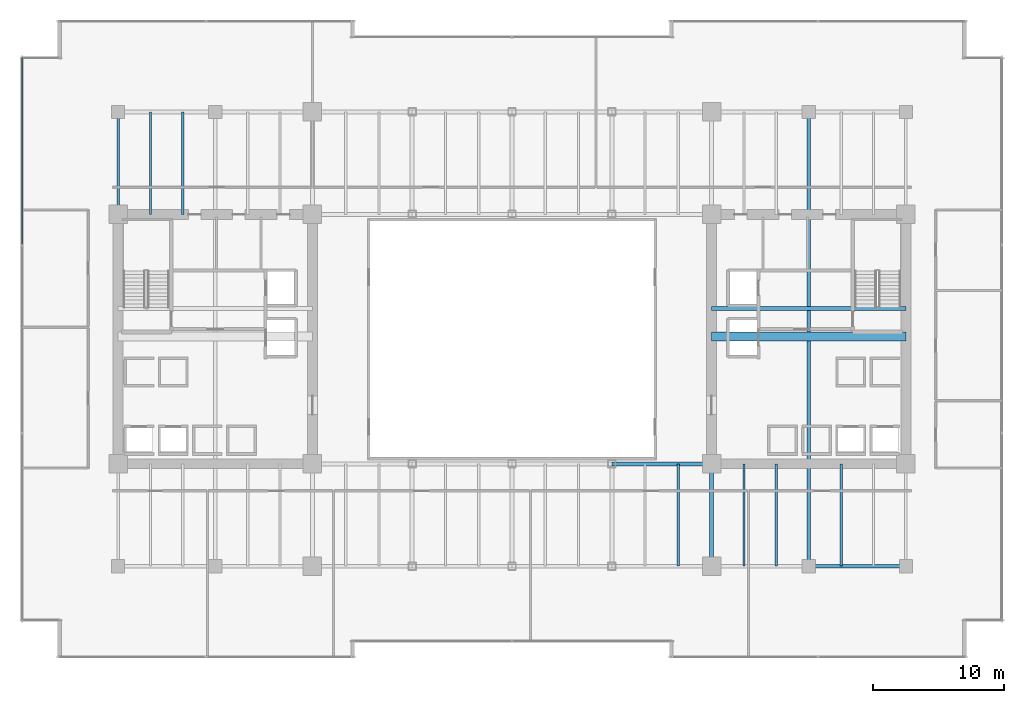
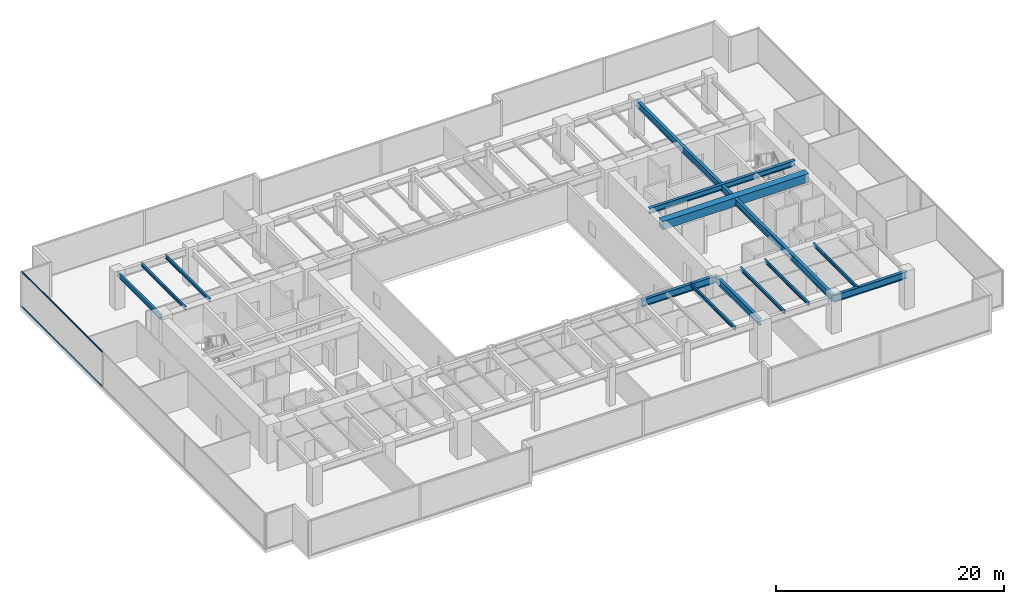
# One storey, part 11 of 35: 13 beams, 2 members, 1 element without a shape of its own.
"""IFC4 building model written with IfcOpenShell, lengths in metres."""

import ifcopenshell
import ifcopenshell.guid

model = None  # the IFC model being written
_history = None  # IfcOwnerHistory: only IFC2X3 demands one
_inside = {}  # id of a spatial element -> (the spatial element, [elements in it])
_under = {}  # id of a project, library or spatial element -> (it, [spatial elements below it])
_declared = {}  # id of a project -> (the project, [libraries it declares])
_typed = {}  # id of a type object -> (the type object, [elements of that type])
_made_of = {}  # id of a material, layer set ... -> (it, [elements and type objects made of it])


def new_model(schema):
    """Start an empty IFC model of exactly this schema.

    Asked for "IFC4X3", IfcOpenShell would pick the latest addendum, in which some entities
    have other attributes; the version numbers below select the first issue.
    IFC2X3 requires an IfcOwnerHistory on every rooted entity: one is made here for all.
    """
    global model, _history
    if schema == "IFC4X3":
        model = ifcopenshell.file(schema_version=(4, 3, 0, 0))
    else:
        model = ifcopenshell.file(schema=schema)
    _inside.clear()
    _under.clear()
    _declared.clear()
    _typed.clear()
    _made_of.clear()
    _history = None
    if model.schema == "IFC2X3":
        org = make("IfcOrganization", Name="unknown")
        user = make(
            "IfcPersonAndOrganization",
            ThePerson=make("IfcPerson", FamilyName="unknown"),
            TheOrganization=org,
        )
        app = make(
            "IfcApplication",
            ApplicationDeveloper=org,
            Version="unknown",
            ApplicationFullName="unknown",
            ApplicationIdentifier="unknown",
        )
        _history = make(
            "IfcOwnerHistory",
            OwningUser=user,
            OwningApplication=app,
            ChangeAction="ADDED",
            CreationDate=0,
        )
    return model


def make(cls, **values):
    """One entity of the class cls with the attributes given. An attribute that is None is left unset."""
    return model.create_entity(
        cls, **{name: value for name, value in values.items() if value is not None}
    )


def rooted(cls, **values):
    """An entity with a GlobalId (a new one), such as an element, a storey or a relation."""
    return make(cls, GlobalId=ifcopenshell.guid.new(), OwnerHistory=_history, **values)


def si_unit(unit_type, name, prefix=None):
    """IfcSIUnit, for example si_unit("LENGTHUNIT", "METRE", prefix="MILLI")."""
    return make("IfcSIUnit", UnitType=unit_type, Prefix=prefix, Name=name)


def assignment(units):
    """IfcUnitAssignment: the units of a project."""
    return None if units is None else make("IfcUnitAssignment", Units=units)


def point(xyz):
    """IfcCartesianPoint."""
    return None if xyz is None else make("IfcCartesianPoint", Coordinates=xyz)


def direction(xyz):
    """IfcDirection."""
    return None if xyz is None else make("IfcDirection", DirectionRatios=xyz)


def frame(location, z_axis=None, x_axis=None):
    """IfcAxis2Placement3D, a coordinate frame: its origin and axes. An axis left out is left unset."""
    return make(
        "IfcAxis2Placement3D",
        Location=point(location),
        Axis=direction(z_axis),
        RefDirection=direction(x_axis),
    )


def frame_2d(location, x_axis=None):
    """IfcAxis2Placement2D, a coordinate frame in the plane: its origin and x axis."""
    return make(
        "IfcAxis2Placement2D", Location=point(location), RefDirection=direction(x_axis)
    )


def origin():
    """The frame at (0, 0, 0) with its axes left unset."""
    return frame((0.0, 0.0, 0.0))


def origin_2d():
    """The frame at (0, 0) in the plane with its x axis left unset."""
    return frame_2d((0.0, 0.0))


def place(relative_to, where):
    """IfcLocalPlacement: puts the frame where relative to a parent placement (None: the world)."""
    return make(
        "IfcLocalPlacement", PlacementRelTo=relative_to, RelativePlacement=where
    )


def context(
    kind, dimensions, precision=None, world=None, true_north=None, identifier=None
):
    """IfcGeometricRepresentationContext, for example the 3D "Model" context."""
    return make(
        "IfcGeometricRepresentationContext",
        ContextIdentifier=identifier,
        ContextType=kind,
        CoordinateSpaceDimension=dimensions,
        Precision=precision,
        WorldCoordinateSystem=world,
        TrueNorth=true_north,
    )


def subcontext(parent, identifier, kind, view, scale=None):
    """IfcGeometricRepresentationSubContext, for example "Body" below "Model"."""
    return make(
        "IfcGeometricRepresentationSubContext",
        ContextIdentifier=identifier,
        ContextType=kind,
        ParentContext=parent,
        TargetScale=scale,
        TargetView=view,
    )


def project(units=None, contexts=None):
    """IfcProject with its units and contexts."""
    return rooted(
        "IfcProject",
        Name="project",
        RepresentationContexts=contexts,
        UnitsInContext=assignment(units),
    )


def spatial(cls, under=None, at=None, **own):
    """A site, building, storey or space (cls), placed at a placement, below another one or the project."""
    s = rooted(cls, ObjectPlacement=at, **own)
    if under is not None:
        _under.setdefault(under.id(), (under, []))[1].append(s)
    return s


def profile(cls, at=None, kind="AREA", **sizes):
    """A parametric profile (cls). Its sizes go by their IFC names, for example OverallWidth=200.0."""
    return make(cls, ProfileType=kind, Position=at, **sizes)


def rectangle(**sizes):
    """IfcRectangleProfileDef."""
    return profile("IfcRectangleProfileDef", **sizes)


def hollow_rectangle(**sizes):
    """IfcRectangleHollowProfileDef."""
    return profile("IfcRectangleHollowProfileDef", **sizes)


def i_section(**sizes):
    """IfcIShapeProfileDef."""
    return profile("IfcIShapeProfileDef", **sizes)


def extrude(swept, where, along, depth):
    """IfcExtrudedAreaSolid: the profile swept, set in the frame where, extruded along a direction by depth."""
    return make(
        "IfcExtrudedAreaSolid",
        SweptArea=swept,
        Position=where,
        ExtrudedDirection=direction(along),
        Depth=depth,
    )


def shape(context_of_items, identifier, shape_type, items):
    """IfcShapeRepresentation: the items that make up one representation, for example the "Body"."""
    return make(
        "IfcShapeRepresentation",
        ContextOfItems=context_of_items,
        RepresentationIdentifier=identifier,
        RepresentationType=shape_type,
        Items=items,
    )


def source(mapping_origin, context_of_items, identifier, shape_type, items):
    """IfcRepresentationMap: a shape defined once, which mapped items show again and again."""
    return make(
        "IfcRepresentationMap",
        MappingOrigin=mapping_origin,
        MappedRepresentation=shape(context_of_items, identifier, shape_type, items),
    )


def transform(
    local_origin,
    x_axis=None,
    y_axis=None,
    z_axis=None,
    scale=None,
    scale2=None,
    scale3=None,
    uniform=True,
):
    """IfcCartesianTransformationOperator3D, or its non-uniform kind. x_axis, y_axis, z_axis: its Axis1, 2, 3."""
    if uniform:
        return make(
            "IfcCartesianTransformationOperator3D",
            Axis1=direction(x_axis),
            Axis2=direction(y_axis),
            LocalOrigin=point(local_origin),
            Scale=scale,
            Axis3=direction(z_axis),
        )
    return make(
        "IfcCartesianTransformationOperator3DnonUniform",
        Axis1=direction(x_axis),
        Axis2=direction(y_axis),
        LocalOrigin=point(local_origin),
        Scale=scale,
        Axis3=direction(z_axis),
        Scale2=scale2,
        Scale3=scale3,
    )


def mapped(mapping_source, mapping_target):
    """IfcMappedItem: shows the shape of a source again, moved by a transform."""
    return make(
        "IfcMappedItem", MappingSource=mapping_source, MappingTarget=mapping_target
    )


def material(Name=None, Category=None):
    """IfcMaterial."""
    return make("IfcMaterial", Name=Name, Category=Category)


def layer(
    of_material, thickness, ventilated=None, Name=None, Category=None, Priority=None
):
    """IfcMaterialLayer: one layer of a wall or slab, of a material (None: an air gap)."""
    return make(
        "IfcMaterialLayer",
        Material=of_material,
        LayerThickness=thickness,
        IsVentilated=ventilated,
        Name=Name,
        Category=Category,
        Priority=Priority,
    )


def layer_set(layers, Name=None):
    """IfcMaterialLayerSet."""
    return make("IfcMaterialLayerSet", MaterialLayers=layers, LayerSetName=Name)


def material_profile(
    of_material, cross_section, Name=None, Category=None, Priority=None
):
    """IfcMaterialProfile: a cross section and its material."""
    return make(
        "IfcMaterialProfile",
        Name=Name,
        Material=of_material,
        Profile=cross_section,
        Priority=Priority,
        Category=Category,
    )


def profile_set(profiles, Name=None, composite=None):
    """IfcMaterialProfileSet."""
    return make(
        "IfcMaterialProfileSet",
        Name=Name,
        MaterialProfiles=profiles,
        CompositeProfile=composite,
    )


def made_of(thing, what):
    """Note that an element or type object is made of a material, layer set ...; save() writes the relation."""
    if what is not None:
        _made_of.setdefault(what.id(), (what, []))[1].append(thing)
    return thing


def type_object(cls, material=None, **own):
    """A type object (cls), such as IfcWallType, which elements share."""
    return made_of(rooted(cls, **own), material)


def type_shapes(of_type, sources):
    """Give a type object the sources (RepresentationMaps) that its elements show as mapped items."""
    of_type.RepresentationMaps = sources


def element(
    cls,
    number,
    at=None,
    inside=None,
    cuts=None,
    type_object=None,
    material=None,
    context=None,
    identifier="Body",
    shape_type=None,
    held_by="IfcProductDefinitionShape",
    body=None,
    shapes=None,
    **own,
):
    """One element of the class cls, such as IfcWall. Its Tag is "e" and its number.

    at: its placement. inside: the storey or other place that contains it. cuts: it is an
    opening in that element (IfcRelVoidsElement). A single representation is given by context,
    identifier, shape_type and body (its items); several are given by shapes. held_by: the class
    of the entity that holds the representations. save() writes the other relations.
    """
    e = rooted(cls, Tag="e%d" % number, ObjectPlacement=at, **own)
    if body is not None:
        shapes = [shape(context, identifier, shape_type, body)]
    if shapes is not None:
        e.Representation = make(held_by, Representations=shapes)
    if inside is not None:
        _inside.setdefault(inside.id(), (inside, []))[1].append(e)
    if cuts is not None:
        rooted(
            "IfcRelVoidsElement", RelatingBuildingElement=cuts, RelatedOpeningElement=e
        )
    if type_object is not None:
        _typed.setdefault(type_object.id(), (type_object, []))[1].append(e)
    return made_of(e, material)


def aggregate(whole, parts):
    """IfcRelAggregates: a whole, such as a stair, and the parts it consists of."""
    return rooted("IfcRelAggregates", RelatingObject=whole, RelatedObjects=parts)


def save(model, path):
    """Write the relations noted so far, then the file.

    IfcRelAggregates (storeys below a building ...), IfcRelContainedInSpatialStructure (elements
    in a storey), IfcRelDefinesByType, IfcRelAssociatesMaterial and IfcRelDeclares: one each for
    every whole, place, type object, material and project.
    """
    for whole, parts in _under.values():
        aggregate(whole, parts)
    for where, things in _inside.values():
        rooted(
            "IfcRelContainedInSpatialStructure",
            RelatedElements=things,
            RelatingStructure=where,
        )
    for kind, things in _typed.values():
        rooted("IfcRelDefinesByType", RelatedObjects=things, RelatingType=kind)
    for what, things in _made_of.values():
        rooted("IfcRelAssociatesMaterial", RelatedObjects=things, RelatingMaterial=what)
    for by, libraries in _declared.values():
        rooted("IfcRelDeclares", RelatingContext=by, RelatedDefinitions=libraries)
    model.write(path)


model = new_model("IFC4")

# Units and contexts
model_context = context("Model", 3, precision=1e-05, world=origin(), true_north=direction((0.0, 1.0)))
body_context = subcontext(model_context, "Body", "Model", "MODEL_VIEW")
ifc_project = project(units=[si_unit("LENGTHUNIT", "METRE"), si_unit("AREAUNIT", "SQUARE_METRE"), si_unit("VOLUMEUNIT", "CUBIC_METRE"), si_unit("PLANEANGLEUNIT", "RADIAN"), si_unit("MASSUNIT", "GRAM", prefix="KILO")], contexts=[model_context])

# Site, building, storey
site_placement = place(None, origin())
site = spatial("IfcSite", under=ifc_project, at=site_placement, CompositionType="ELEMENT")
building_placement = place(site_placement, origin())
building = spatial("IfcBuilding", under=site, at=building_placement, Name="Haelvirn Gate Laboratories", CompositionType="ELEMENT")
storey_placement = place(building_placement, frame((0.0, 0.0, 45.699951171875)))
storey = spatial("IfcBuildingStorey", under=building, at=storey_placement, Name="L11", CompositionType="ELEMENT", Elevation=45.699951171875)

# Beams
ifc_material_1 = material(Name="Concrete C60/75", Category="concrete")
ifc_material_profile_1 = material_profile(ifc_material_1, rectangle(XDim=0.699951171875, YDim=0.89990234375, at=origin_2d()), Name="RCB-700x900")
ifc_profile_set_1 = profile_set([ifc_material_profile_1], Name="Concrete C60/75")
beam_type_1 = type_object("IfcBeamType", Name="BM-RCB-900", PredefinedType="LINTEL", material=ifc_profile_set_1)
shared_shape_1 = source(origin(), body_context, "Body", "SweptSolid", [
    extrude(rectangle(XDim=0.699951171875, YDim=0.89990234375, at=origin_2d()), origin(), (0.0, 0.0, 1.0), 14.7998046875),
])
type_shapes(beam_type_1, [shared_shape_1])
beam_1_placement = place(storey_placement, frame((52.60009765625, 24.5, 3.330078125), z_axis=(1.0, 0.0, 0.0), x_axis=(0.0, 1.0, 0.0)))
element("IfcBeam", 1, at=beam_1_placement, inside=storey, type_object=beam_type_1, Name="L11 East Core Coupling Beam", PredefinedType="LINTEL", context=body_context, shape_type="MappedRepresentation", body=[
    mapped(shared_shape_1, transform((0.0, 0.0, 0.0), scale=1.0)),
])
ifc_material_2 = material(Name="Steel SM355", Category="steel")
ifc_material_profile_2 = material_profile(ifc_material_2, i_section(OverallWidth=0.300048828125, OverallDepth=0.587890625, WebThickness=0.011962890625, FlangeThickness=0.02001953125, at=origin_2d()), Name="H-588x300x12x20")
ifc_profile_set_2 = profile_set([ifc_material_profile_2], Name="Steel SM355")
beam_type_2 = type_object("IfcBeamType", Name="BM-G-588", PredefinedType="BEAM", material=ifc_profile_set_2)
shared_shape_2 = source(origin(), body_context, "Body", "SweptSolid", [
    extrude(i_section(OverallWidth=0.300048828125, OverallDepth=0.587890625, WebThickness=0.011962890625, FlangeThickness=0.02001953125, at=origin_2d()), origin(), (0.0, 0.0, 1.0), 14.7998046875),
])
type_shapes(beam_type_2, [shared_shape_2])
beam_2_placement = place(storey_placement, frame((52.60009765625, 26.6201171875, 3.486083984375), z_axis=(1.0, 0.0, 0.0), x_axis=(0.0, 1.0, 0.0)))
element("IfcBeam", 2, at=beam_2_placement, inside=storey, type_object=beam_type_2, Name="L11 Stair ST2 Landing Header", PredefinedType="BEAM", context=body_context, shape_type="MappedRepresentation", body=[
    mapped(shared_shape_2, transform((0.0, 0.0, 0.0), scale=1.0)),
])
ifc_material_profile_3 = material_profile(ifc_material_2, i_section(OverallWidth=0.300048828125, OverallDepth=0.699951171875, WebThickness=0.012939453125, FlangeThickness=0.02392578125, at=origin_2d()), Name="H-700x300x13x24")
ifc_profile_set_3 = profile_set([ifc_material_profile_3], Name="Steel SM355")
beam_type_3 = type_object("IfcBeamType", Name="BM-G-700", PredefinedType="BEAM", material=ifc_profile_set_3)
shared_shape_3 = source(origin(), body_context, "Body", "SweptSolid", [
    extrude(i_section(OverallWidth=0.300048828125, OverallDepth=0.699951171875, WebThickness=0.012939453125, FlangeThickness=0.02392578125, at=origin_2d()), origin(), (0.0, 0.0, 1.0), 7.800048828125),
])
beam_3_placement = place(storey_placement, frame((52.60009765625, 7.0, 3.429931640625), z_axis=(0.0, 1.0, 0.0), x_axis=(-1.0, 0.0, 0.0)))
element("IfcBeam", 3, at=beam_3_placement, inside=storey, type_object=beam_type_3, Name="L11 Frame Girder X52.6 (7.0-14.8)", PredefinedType="BEAM", context=body_context, shape_type="MappedRepresentation", body=[
    mapped(shared_shape_3, transform((0.0, 0.0, 0.0), scale=1.0)),
])
shared_shape_4 = source(origin(), body_context, "Body", "SweptSolid", [
    extrude(i_section(OverallWidth=0.300048828125, OverallDepth=0.699951171875, WebThickness=0.012939453125, FlangeThickness=0.02392578125, at=origin_2d()), origin(), (0.0, 0.0, 1.0), 34.60009765625),
])
type_shapes(beam_type_3, [shared_shape_3, shared_shape_4])
beam_4_placement = place(storey_placement, frame((60.0, 7.0, 3.429931640625), z_axis=(0.0, 1.0, 0.0), x_axis=(-1.0, 0.0, 0.0)))
element("IfcBeam", 4, at=beam_4_placement, inside=storey, type_object=beam_type_3, Name="L11 Frame Girder X60.0 (7.0-41.6)", PredefinedType="BEAM", context=body_context, shape_type="MappedRepresentation", body=[
    mapped(shared_shape_4, transform((0.0, 0.0, 0.0), scale=1.0)),
])
ifc_material_profile_4 = material_profile(ifc_material_2, i_section(OverallWidth=0.300048828125, OverallDepth=0.75, WebThickness=0.013916015625, FlangeThickness=0.02392578125, at=origin_2d()), Name="H-750x300x14x24")
ifc_profile_set_4 = profile_set([ifc_material_profile_4], Name="Steel SM355")
beam_type_4 = type_object("IfcBeamType", Name="BM-G-750", PredefinedType="BEAM", material=ifc_profile_set_4)
shared_shape_5 = source(origin(), body_context, "Body", "SweptSolid", [
    extrude(i_section(OverallWidth=0.300048828125, OverallDepth=0.75, WebThickness=0.013916015625, FlangeThickness=0.02392578125, at=origin_2d()), origin(), (0.0, 0.0, 1.0), 7.39990234375),
])
beam_5_placement = place(storey_placement, frame((60.0, 7.0, 3.405029296875), z_axis=(1.0, 0.0, 0.0), x_axis=(0.0, 1.0, 0.0)))
element("IfcBeam", 5, at=beam_5_placement, inside=storey, type_object=beam_type_4, Name="L11 Primary Girder Y7.0 (60.0-67.4)", PredefinedType="BEAM", context=body_context, shape_type="MappedRepresentation", body=[
    mapped(shared_shape_5, transform((0.0, 0.0, 0.0), scale=1.0)),
])
shared_shape_6 = source(origin(), body_context, "Body", "SweptSolid", [
    extrude(i_section(OverallWidth=0.300048828125, OverallDepth=0.75, WebThickness=0.013916015625, FlangeThickness=0.02392578125, at=origin_2d()), origin(), (0.0, 0.0, 1.0), 7.60009765625),
])
type_shapes(beam_type_4, [shared_shape_5, shared_shape_6])
beam_6_placement = place(storey_placement, frame((45.0, 14.800048828125, 3.405029296875), z_axis=(1.0, 0.0, 0.0), x_axis=(0.0, 1.0, 0.0)))
element("IfcBeam", 6, at=beam_6_placement, inside=storey, type_object=beam_type_4, Name="L11 Primary Girder Y14.8 (45.0-52.6)", PredefinedType="BEAM", context=body_context, shape_type="MappedRepresentation", body=[
    mapped(shared_shape_6, transform((0.0, 0.0, 0.0), scale=1.0)),
])
ifc_material_profile_5 = material_profile(ifc_material_2, i_section(OverallWidth=0.199951171875, OverallDepth=0.5, WebThickness=0.010009765625, FlangeThickness=0.01611328125, at=origin_2d()), Name="H-500x200x10x16")
ifc_profile_set_5 = profile_set([ifc_material_profile_5], Name="Steel SM355")
beam_type_5 = type_object("IfcBeamType", Name="BM-SP-500", PredefinedType="SPANDREL", material=ifc_profile_set_5)
shared_shape_7 = source(origin(), body_context, "Body", "SweptSolid", [
    extrude(i_section(OverallWidth=0.199951171875, OverallDepth=0.5, WebThickness=0.010009765625, FlangeThickness=0.01611328125, at=origin_2d()), origin(), (0.0, 0.0, 1.0), 7.800048828125),
])
type_shapes(beam_type_5, [shared_shape_7])
beam_7_placement = place(storey_placement, frame((7.39990234375, 33.800048828125, 3.530029296875), z_axis=(0.0, 1.0, 0.0), x_axis=(-1.0, 0.0, 0.0)))
element("IfcBeam", 7, at=beam_7_placement, inside=storey, type_object=beam_type_5, Name="L11 Perimeter Spandrel X7.4 (33.8-41.6)", PredefinedType="SPANDREL", context=body_context, shape_type="MappedRepresentation", body=[
    mapped(shared_shape_7, transform((0.0, 0.0, 0.0), scale=1.0)),
])
ifc_material_profile_6 = material_profile(ifc_material_2, i_section(OverallWidth=0.175048828125, OverallDepth=0.35009765625, WebThickness=0.007080078125, FlangeThickness=0.010986328125, at=origin_2d()), Name="H-350x175x7x11")
ifc_profile_set_6 = profile_set([ifc_material_profile_6], Name="Steel SM355")
beam_type_6 = type_object("IfcBeamType", Name="BM-J-350", PredefinedType="JOIST", material=ifc_profile_set_6)
shared_shape_8 = source(origin(), body_context, "Body", "SweptSolid", [
    extrude(i_section(OverallWidth=0.175048828125, OverallDepth=0.35009765625, WebThickness=0.007080078125, FlangeThickness=0.010986328125, at=origin_2d()), origin(), (0.0, 0.0, 1.0), 7.800048828125),
])
type_shapes(beam_type_6, [shared_shape_8])
for number, where, z_axis, x_axis, name in (
    (8, (9.8701171875, 33.800048828125, 3.60498046875), (0.0, 1.0, 0.0), (-1.0, 0.0, 0.0), "L11 Composite Lab Joist North X9.87"),
    (9, (12.330078125, 33.800048828125, 3.60498046875), (0.0, 1.0, 0.0), (-1.0, 0.0, 0.0), "L11 Composite Lab Joist North X12.33"),
    (10, (50.070068359375, 7.0, 3.60498046875), (0.0, 1.0, 0.0), (-1.0, 0.0, 0.0), "L11 Composite Lab Joist South X50.07"),
    (11, (55.070068359375, 7.0, 3.60498046875), (0.0, 1.0, 0.0), (-1.0, 0.0, 0.0), "L11 Composite Lab Joist South X55.07"),
    (12, (57.530029296875, 7.0, 3.60498046875), (0.0, 1.0, 0.0), (-1.0, 0.0, 0.0), "L11 Composite Lab Joist South X57.53"),
    (13, (62.469970703125, 7.0, 3.60498046875), (0.0, 1.0, 0.0), (-1.0, 0.0, 0.0), "L11 Composite Lab Joist South X62.47"),
):
    element("IfcBeam", number, at=place(storey_placement, frame(where, z_axis=z_axis, x_axis=x_axis)), inside=storey, type_object=beam_type_6, Name=name, PredefinedType="JOIST", context=body_context, shape_type="MappedRepresentation", body=[
        mapped(shared_shape_8, transform((0.0, 0.0, 0.0), scale=1.0)),
    ])

# Curtain wall, members
ifc_material_3 = material(Name="Anodised bronze unitised aluminium & triple low-E glass", Category="aluminium")
ifc_layer = layer(ifc_material_3, 0.18408203125, Name="CW-SYS-2")
ifc_layer_set = layer_set([ifc_layer], Name="Anodised bronze unitised aluminium & triple low-E glass")
curtain_wall_type = type_object("IfcCurtainWallType", Name="CW-SYS-2", PredefinedType="NOTDEFINED", material=ifc_layer_set)
curtain_wall_placement = place(storey_placement, origin())
curtain_wall = element("IfcCurtainWall", 14, at=curtain_wall_placement, inside=storey, type_object=curtain_wall_type, Name="L11 Unitised Curtain Wall CW-L11-P0-E17", PredefinedType="NOTDEFINED")
ifc_material_4 = material(Name="Extruded aluminium 6063-T6 (anodised bronze)", Category="aluminium")
ifc_material_profile_7 = material_profile(ifc_material_4, hollow_rectangle(XDim=0.070068359375, YDim=0.159912109375, WallThickness=0.0048828125, at=origin_2d()), Name="CWT-160x70x5")
ifc_profile_set_7 = profile_set([ifc_material_profile_7], Name="Extruded aluminium 6063-T6 (anodised bronze)")
member_type = type_object("IfcMemberType", Name="CWT-T160", PredefinedType="USERDEFINED", material=ifc_profile_set_7)
shared_shape_9 = source(origin(), body_context, "Body", "SweptSolid", [
    extrude(hollow_rectangle(XDim=0.070068359375, YDim=0.159912109375, WallThickness=0.0048828125, at=origin_2d()), origin(), (0.0, 0.0, 1.0), 14.220947265625),
])
type_shapes(member_type, [shared_shape_9])
member_1_placement = place(storey_placement, frame((0.10009765625, 45.72509765625, 0.03515625), z_axis=(0.0, -1.0, 0.0), x_axis=(1.0, 0.0, 0.0)))
member_1 = element("IfcMember", 15, at=member_1_placement, type_object=member_type, Name="CW2 transom 1.1", ObjectType="TRANSOM", PredefinedType="USERDEFINED", context=body_context, shape_type="MappedRepresentation", body=[
    mapped(shared_shape_9, transform((0.0, 0.0, 0.0), scale=1.0)),
])
member_2_placement = place(storey_placement, frame((0.10009765625, 45.72509765625, 3.7451171875), z_axis=(0.0, -1.0, 0.0), x_axis=(1.0, 0.0, 0.0)))
member_2 = element("IfcMember", 16, at=member_2_placement, type_object=member_type, Name="CW2 transom 1.2", ObjectType="TRANSOM", PredefinedType="USERDEFINED", context=body_context, shape_type="MappedRepresentation", body=[
    mapped(shared_shape_9, transform((0.0, 0.0, 0.0), scale=1.0)),
])
aggregate(curtain_wall, [member_1, member_2])

save(model, "model.ifc")
